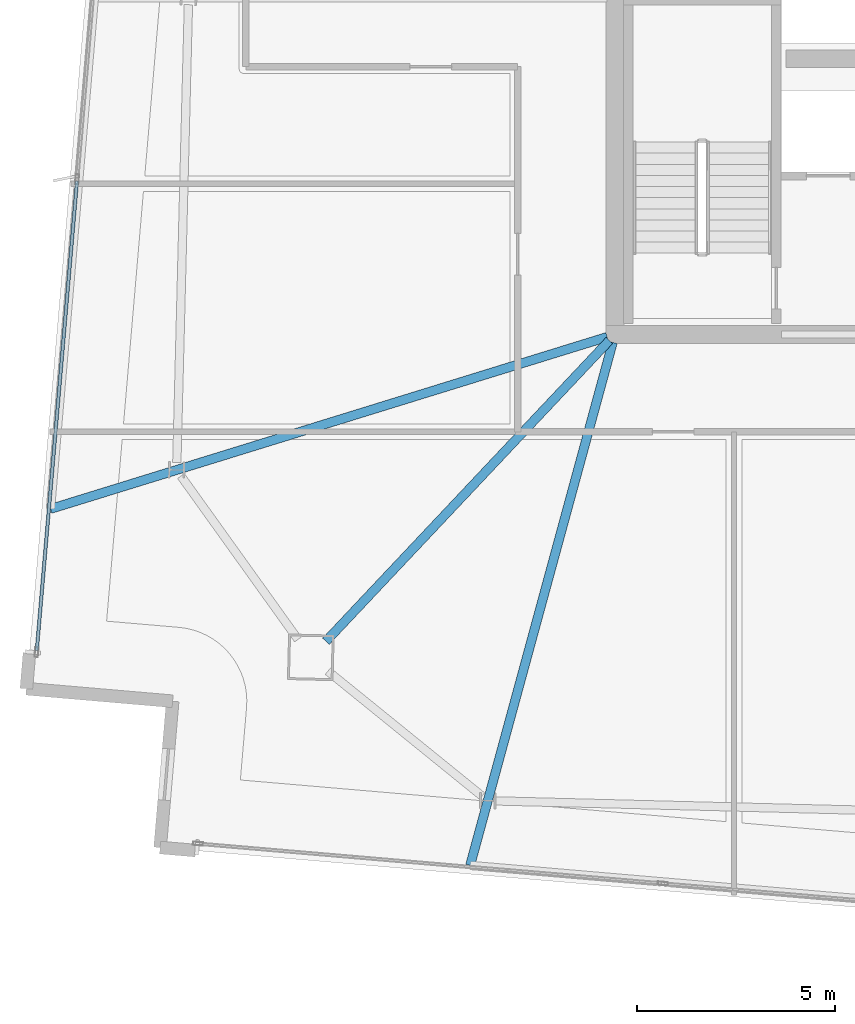
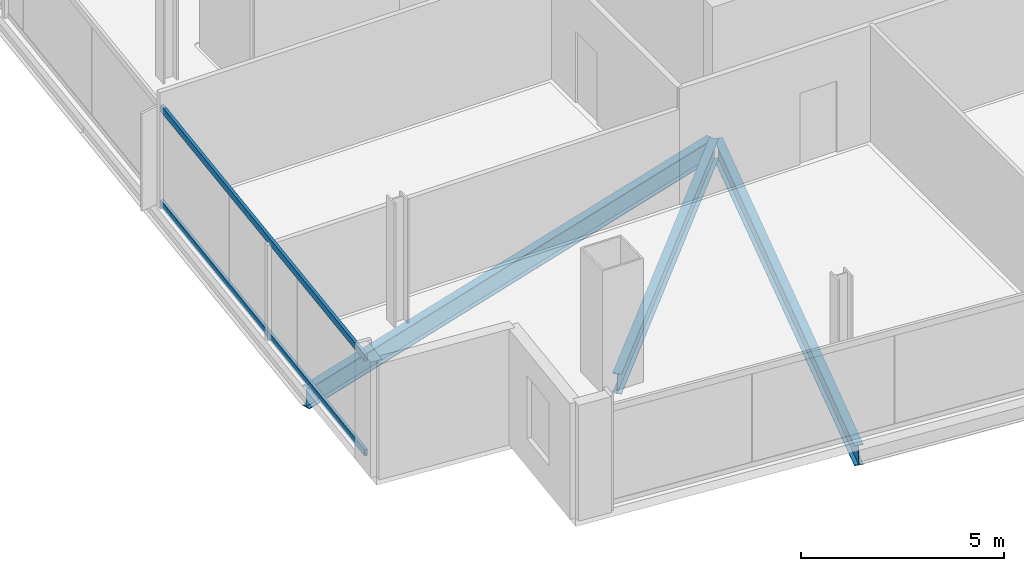
# One storey, part 3 of 24: 3 beams, 2 members, 1 element without a shape of its own.
"""IFC4 building model written with IfcOpenShell, lengths in metres."""

from ifc_helpers import new_model, si_unit, direction, frame, origin, origin_2d, place, context, subcontext, project, spatial, hollow_rectangle, i_section, extrude, material, material_profile, profile_set, type_object, element, aggregate, save


model = new_model("IFC4")

# Units and contexts
model_context = context("Model", 3, precision=1e-05, world=origin(), true_north=direction((0.0, 1.0)))
body_context = subcontext(model_context, "Body", "Model", "MODEL_VIEW")
ifc_project = project(units=[si_unit("LENGTHUNIT", "METRE"), si_unit("AREAUNIT", "SQUARE_METRE"), si_unit("VOLUMEUNIT", "CUBIC_METRE"), si_unit("PLANEANGLEUNIT", "RADIAN"), si_unit("MASSUNIT", "GRAM", prefix="KILO")], contexts=[model_context])

# Site, building, storey
site_placement = place(None, origin())
site = spatial("IfcSite", under=ifc_project, at=site_placement, CompositionType="ELEMENT")
building_placement = place(site_placement, origin())
building = spatial("IfcBuilding", under=site, at=building_placement, Name="Haldenkirk Collegiate Tower", CompositionType="ELEMENT")
storey_placement = place(building_placement, frame((0.0, 0.0, 313.949951171875)))
storey = spatial("IfcBuildingStorey", under=building, at=storey_placement, Name="L79", CompositionType="ELEMENT", Elevation=313.949951171875)

# Beams
ifc_material_1 = material(Name="Steel ASTM A992 Grade 50", Category="steel")
ifc_material_profile_1 = material_profile(ifc_material_1, i_section(OverallWidth=0.22998046875, OverallDepth=0.616943359375, WebThickness=0.01318359375, FlangeThickness=0.022216796875, at=origin_2d()), Name="W24X94")
ifc_profile_set_1 = profile_set([ifc_material_profile_1], Name="Steel ASTM A992 Grade 50")
beam_type = type_object("IfcBeamType", Name="BM-GIRDER-W24X94", PredefinedType="BEAM", material=ifc_profile_set_1)
beam_1_placement = place(storey_placement, frame((19.717041015625, 10.2705078125, -0.568359375), z_axis=(0.685767478835, 0.72782069562, 0.0), x_axis=(-0.72782069562, 0.685767478835, 0.0)))
element("IfcBeam", 1, at=beam_1_placement, inside=storey, type_object=beam_type, Name="L79 primary floor girder 04", PredefinedType="BEAM", context=body_context, shape_type="SweptSolid", body=[
    extrude(i_section(OverallWidth=0.22998046875, OverallDepth=0.616943359375, WebThickness=0.01318359375, FlangeThickness=0.022216796875, at=origin_2d()), origin(), (0.0, 0.0, 1.0), 10.4150390625),
])
beam_2_placement = place(storey_placement, frame((12.7763671875, 13.605712890625, -0.568359375), z_axis=(0.955443661247, 0.295173525546, 0.0), x_axis=(-0.295173525546, 0.955443661247, 0.0)))
element("IfcBeam", 2, at=beam_2_placement, inside=storey, type_object=beam_type, Name="L79 primary floor girder 13", PredefinedType="BEAM", context=body_context, shape_type="SweptSolid", body=[
    extrude(i_section(OverallWidth=0.22998046875, OverallDepth=0.616943359375, WebThickness=0.01318359375, FlangeThickness=0.022216796875, at=origin_2d()), origin(), (0.0, 0.0, 1.0), 14.68212890625),
])
beam_3_placement = place(storey_placement, frame((23.351806640625, 4.622314453125, -0.568359375), z_axis=(0.263097747571, 0.964769182355, 0.0), x_axis=(-0.964769182355, 0.263097747571, 0.0)))
element("IfcBeam", 3, at=beam_3_placement, inside=storey, type_object=beam_type, Name="L79 primary floor girder 14", PredefinedType="BEAM", context=body_context, shape_type="SweptSolid", body=[
    extrude(i_section(OverallWidth=0.22998046875, OverallDepth=0.616943359375, WebThickness=0.01318359375, FlangeThickness=0.022216796875, at=origin_2d()), origin(), (0.0, 0.0, 1.0), 13.6611328125),
])

# Curtain wall, members
ifc_material_2 = material(Name="Anodised architectural bronze aluminium", Category="aluminium")
curtain_wall_type = type_object("IfcCurtainWallType", Name="CW-SYS1B-CONVEX-HI", PredefinedType="USERDEFINED", material=ifc_material_2)
curtain_wall_placement = place(storey_placement, origin())
curtain_wall = element("IfcCurtainWall", 4, at=curtain_wall_placement, inside=storey, type_object=curtain_wall_type, Name="L79 Upper tower high-wind convex bronze unitised curtain wall", ObjectType="UNITISED CURTAIN WALL", PredefinedType="USERDEFINED")
ifc_material_profile_2 = material_profile(ifc_material_2, hollow_rectangle(XDim=0.0849609375, YDim=0.199951171875, WallThickness=0.0048828125, at=origin_2d()), Name="CW-TRN-1B")
ifc_profile_set_2 = profile_set([ifc_material_profile_2], Name="Anodised architectural bronze aluminium")
member_type = type_object("IfcMemberType", Name="CW-TRN-1B", PredefinedType="USERDEFINED", material=ifc_profile_set_2)
member_1_placement = place(storey_placement, frame((12.4306640625, 10.039794921875, 0.04248046875), z_axis=(0.085400558101, 0.996346699034, 0.0), x_axis=(-0.996346699034, 0.085400558101, 0.0)))
member_1 = element("IfcMember", 5, at=member_1_placement, type_object=member_type, Name="CW-1B transom 1.1", ObjectType="TRANSOM", PredefinedType="USERDEFINED", context=body_context, shape_type="SweptSolid", body=[
    extrude(hollow_rectangle(XDim=0.0849609375, YDim=0.199951171875, WallThickness=0.0048828125, at=origin_2d()), origin(), (0.0, 0.0, 1.0), 11.87255859375),
])
member_2_placement = place(storey_placement, frame((12.4306640625, 10.039794921875, 2.905517578125), z_axis=(0.085400558101, 0.996346699034, 0.0), x_axis=(-0.996346699034, 0.085400558101, 0.0)))
member_2 = element("IfcMember", 6, at=member_2_placement, type_object=member_type, Name="CW-1B transom 1.2", ObjectType="TRANSOM", PredefinedType="USERDEFINED", context=body_context, shape_type="SweptSolid", body=[
    extrude(hollow_rectangle(XDim=0.0849609375, YDim=0.199951171875, WallThickness=0.0048828125, at=origin_2d()), origin(), (0.0, 0.0, 1.0), 11.87255859375),
])
aggregate(curtain_wall, [member_1, member_2])

save(model, "model.ifc")
